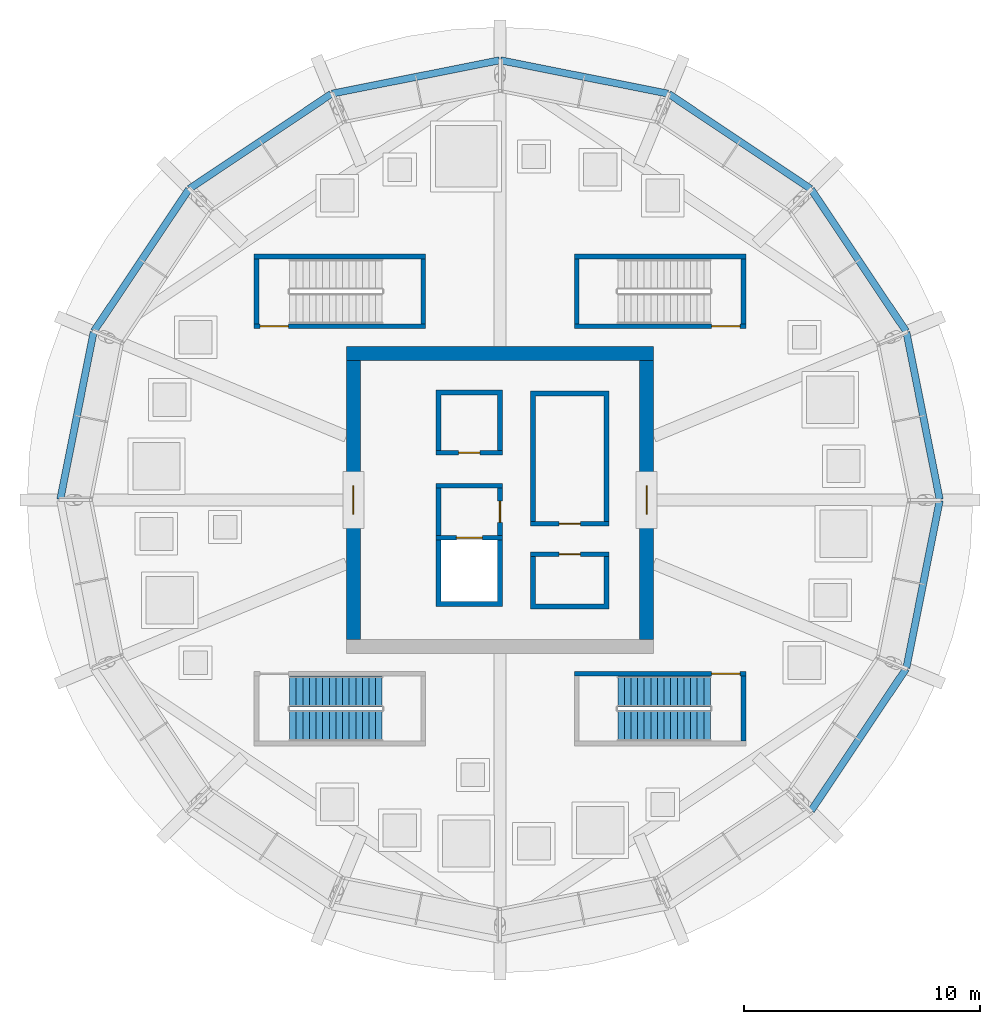
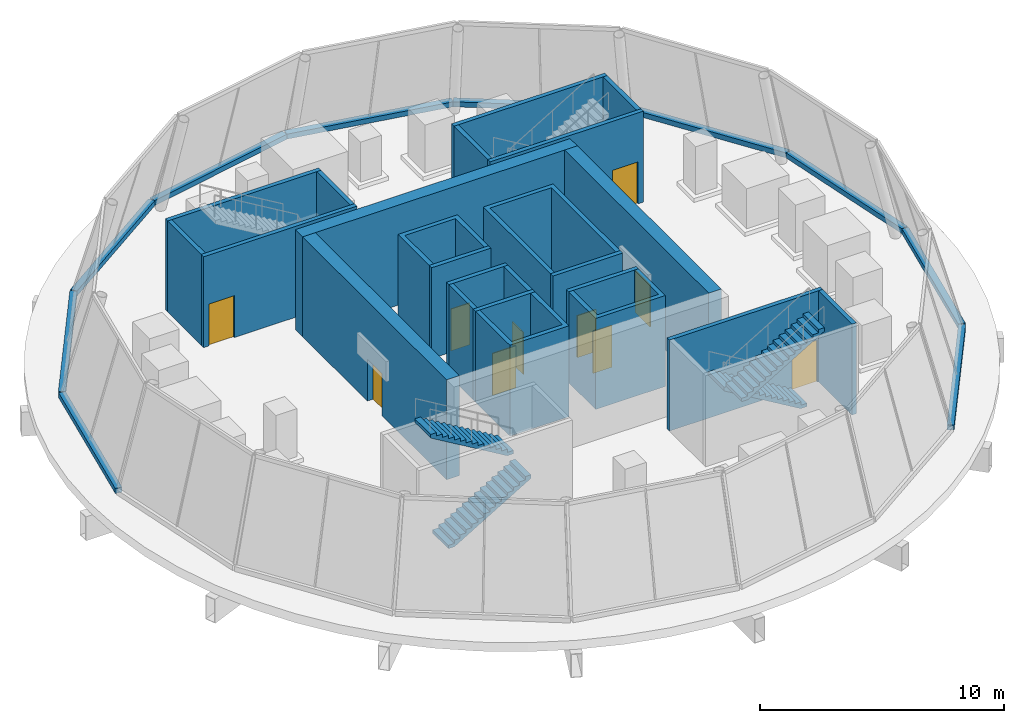
# One storey, part 4 of 7: 34 walls, 10 doors, 4 stair flights, 10 openings, 2 elements without a shape of their own.
"""IFC4 building model written with IfcOpenShell, lengths in metres."""

from ifc_helpers import new_model, si_unit, direction, frame, frame_2d, origin, place, context, subcontext, project, spatial, polyline, rectangle, outline, extrude, material, layer, layer_set, type_object, element, fill, aggregate, save


model = new_model("IFC4")

# Units and contexts
model_context = context("Model", 3, precision=1e-05, world=origin(), true_north=direction((0.0, 1.0)))
body_context = subcontext(model_context, "Body", "Model", "MODEL_VIEW")
ifc_project = project(units=[si_unit("LENGTHUNIT", "METRE"), si_unit("AREAUNIT", "SQUARE_METRE"), si_unit("VOLUMEUNIT", "CUBIC_METRE"), si_unit("PLANEANGLEUNIT", "RADIAN"), si_unit("MASSUNIT", "GRAM", prefix="KILO")], contexts=[model_context])

# Site, building, storey
site_placement = place(None, origin())
site = spatial("IfcSite", under=ifc_project, at=site_placement, CompositionType="ELEMENT")
building_placement = place(site_placement, origin())
building = spatial("IfcBuilding", under=site, at=building_placement, Name="Corvane Civic Tower", CompositionType="ELEMENT")
storey_placement = place(building_placement, frame((0.0, 0.0, 387.5)))
storey = spatial("IfcBuildingStorey", under=building, at=storey_placement, Name="L92", CompositionType="ELEMENT", Elevation=387.5)

# Wall
ifc_material_1 = material(Name="Concrete C40/50", Category="concrete")
ifc_layer_1 = layer(ifc_material_1, 0.60009765625)
ifc_layer_set_1 = layer_set([ifc_layer_1], Name="Concrete C40/50")
wall_type_1 = type_object("IfcWallType", Name="CORE WALL 600 C40/50", PredefinedType="SHEAR", material=ifc_layer_set_1)
wall_1_placement = place(storey_placement, frame((-6.5, 6.199951171875, 0.0), z_axis=(0.0, 0.0, 1.0), x_axis=(1.0, 0.0, 0.0)))
element("IfcWall", 1, at=wall_1_placement, inside=storey, type_object=wall_type_1, Name="W-L92-core-N", PredefinedType="SHEAR", context=body_context, shape_type="SweptSolid", body=[
    extrude(rectangle(XDim=13.0, YDim=0.60009765625, at=frame_2d((6.5, 0.0))), origin(), (0.0, 0.0, 1.0), 5.0),
])

# Wall, opening, door
wall_2_placement = place(storey_placement, frame((6.199951171875, -5.89990234375, 0.0), z_axis=(0.0, 0.0, 1.0), x_axis=(0.0, 1.0, 0.0)))
wall_2 = element("IfcWall", 2, at=wall_2_placement, inside=storey, type_object=wall_type_1, Name="W-L92-core-E", PredefinedType="SHEAR", context=body_context, shape_type="SweptSolid", body=[
    extrude(rectangle(XDim=11.7998046875, YDim=0.60009765625, at=frame_2d((5.89990234375, 0.0))), origin(), (0.0, 0.0, 1.0), 5.0),
])
opening_1_placement = place(wall_2_placement, frame((5.300048828125, 0.0, 0.0)))
opening_1 = element("IfcOpeningElement", 3, at=opening_1_placement, cuts=wall_2, Name="Opening L92.C10", PredefinedType="OPENING", context=body_context, shape_type="SweptSolid", body=[
    extrude(rectangle(XDim=1.199951171875, YDim=2.10009765625, at=frame_2d((0.60009765625, 1.050048828125))), frame((0.0, 0.31005859375, 0.0), z_axis=(0.0, -1.0, 0.0), x_axis=(1.0, 0.0, 0.0)), (0.0, 0.0, 1.0), 0.6201171875),
])
ifc_material_2 = material(Name="Steel fire door leaf", Category="steel")
door_type_1 = type_object("IfcDoorType", Name="CR-DOOR-CORE-1800", OperationType="DOUBLE_DOOR_SINGLE_SWING", PredefinedType="DOOR", material=ifc_material_2)
door_1_placement = place(opening_1_placement, origin())
door_1 = element("IfcDoor", 4, at=door_1_placement, inside=storey, type_object=door_type_1, Name="L92 door", OperationType="DOUBLE_DOOR_SINGLE_SWING", OverallHeight=2.10009765625, OverallWidth=1.199951171875, PredefinedType="DOOR", context=body_context, shape_type="SweptSolid", body=[
    extrude(rectangle(XDim=1.199951171875, YDim=2.10009765625, at=frame_2d((0.60009765625, 1.050048828125))), frame((0.0, 0.02490234375, 0.0), z_axis=(0.0, -1.0, 0.0), x_axis=(1.0, 0.0, 0.0)), (0.0, 0.0, 1.0), 0.050048828125),
])
fill(opening_1, door_1)

wall_3_placement = place(storey_placement, frame((-6.199951171875, -5.89990234375, 0.0), z_axis=(0.0, 0.0, 1.0), x_axis=(0.0, 1.0, 0.0)))
wall_3 = element("IfcWall", 5, at=wall_3_placement, inside=storey, type_object=wall_type_1, Name="W-L92-core-W", PredefinedType="SHEAR", context=body_context, shape_type="SweptSolid", body=[
    extrude(rectangle(XDim=11.7998046875, YDim=0.60009765625, at=frame_2d((5.89990234375, 0.0))), origin(), (0.0, 0.0, 1.0), 5.0),
])
opening_2_placement = place(wall_3_placement, frame((5.300048828125, 0.0, 0.0)))
opening_2 = element("IfcOpeningElement", 6, at=opening_2_placement, cuts=wall_3, Name="Opening L92.C09", PredefinedType="OPENING", context=body_context, shape_type="SweptSolid", body=[
    extrude(rectangle(XDim=1.199951171875, YDim=2.10009765625, at=frame_2d((0.60009765625, 1.050048828125))), frame((0.0, 0.31005859375, 0.0), z_axis=(0.0, -1.0, 0.0), x_axis=(1.0, 0.0, 0.0)), (0.0, 0.0, 1.0), 0.6201171875),
])
door_2_placement = place(opening_2_placement, origin())
door_2 = element("IfcDoor", 7, at=door_2_placement, inside=storey, type_object=door_type_1, Name="L92 door", OperationType="DOUBLE_DOOR_SINGLE_SWING", OverallHeight=2.10009765625, OverallWidth=1.199951171875, PredefinedType="DOOR", context=body_context, shape_type="SweptSolid", body=[
    extrude(rectangle(XDim=1.199951171875, YDim=2.10009765625, at=frame_2d((0.60009765625, 1.050048828125))), frame((0.0, 0.02490234375, 0.0), z_axis=(0.0, -1.0, 0.0), x_axis=(1.0, 0.0, 0.0)), (0.0, 0.0, 1.0), 0.050048828125),
])
fill(opening_2, door_2)

ifc_material_3 = material(Name="Concrete C30/37", Category="concrete")
ifc_layer_2 = layer(ifc_material_3, 0.199951171875)
ifc_layer_set_2 = layer_set([ifc_layer_2], Name="Concrete C30/37")
wall_type_2 = type_object("IfcWallType", Name="CR-WALL-200", PredefinedType="PARTITIONING", material=ifc_layer_set_2)
wall_4_placement = place(storey_placement, frame((1.300048828125, -2.300048828125, 0.0), z_axis=(0.0, 0.0, 1.0), x_axis=(1.0, 0.0, 0.0)))
wall_4 = element("IfcWall", 8, at=wall_4_placement, inside=storey, type_object=wall_type_2, Name="L92 core partition wall", PredefinedType="PARTITIONING", context=body_context, shape_type="SweptSolid", body=[
    extrude(rectangle(XDim=3.300048828125, YDim=0.199951171875, at=frame_2d((1.64990234375, 0.0))), origin(), (0.0, 0.0, 1.0), 4.550048828125),
])
opening_3_placement = place(wall_4_placement, frame((1.199951171875, 0.0, 0.0)))
opening_3 = element("IfcOpeningElement", 9, at=opening_3_placement, cuts=wall_4, Name="Opening L92.C04", PredefinedType="OPENING", context=body_context, shape_type="SweptSolid", body=[
    extrude(rectangle(XDim=0.89990234375, YDim=2.10009765625, at=frame_2d((0.449951171875, 1.050048828125))), frame((0.0, 0.10986328125, 0.0), z_axis=(0.0, -1.0, 0.0), x_axis=(1.0, 0.0, 0.0)), (0.0, 0.0, 1.0), 0.219970703125),
])
ifc_material_4 = material(Name="Steel fire door leaf", Category="steel")
door_type_2 = type_object("IfcDoorType", Name="CR-DOOR-900", OperationType="SINGLE_SWING_LEFT", PredefinedType="DOOR", material=ifc_material_4)
door_3_placement = place(opening_3_placement, origin())
door_3 = element("IfcDoor", 10, at=door_3_placement, inside=storey, type_object=door_type_2, Name="L92 door", OperationType="SINGLE_SWING_LEFT", OverallHeight=2.10009765625, OverallWidth=0.89990234375, PredefinedType="DOOR", context=body_context, shape_type="SweptSolid", body=[
    extrude(rectangle(XDim=0.89990234375, YDim=2.10009765625, at=frame_2d((0.449951171875, 1.050048828125))), frame((0.0, 0.02490234375, 0.0), z_axis=(0.0, -1.0, 0.0), x_axis=(1.0, 0.0, 0.0)), (0.0, 0.0, 1.0), 0.050048828125),
])
fill(opening_3, door_3)

wall_5_placement = place(storey_placement, frame((-2.699951171875, -1.60009765625, 0.0), z_axis=(0.0, 0.0, 1.0), x_axis=(1.0, 0.0, 0.0)))
wall_5 = element("IfcWall", 11, at=wall_5_placement, inside=storey, type_object=wall_type_2, Name="L92 lift shaft wall", PredefinedType="PARTITIONING", context=body_context, shape_type="SweptSolid", body=[
    extrude(rectangle(XDim=2.800048828125, YDim=0.199951171875, at=frame_2d((1.39990234375, 0.0))), origin(), (0.0, 0.0, 1.0), 4.550048828125),
])
opening_4_placement = place(wall_5_placement, frame((0.85009765625, 0.0, 0.0)))
opening_4 = element("IfcOpeningElement", 12, at=opening_4_placement, cuts=wall_5, Name="Opening LD", PredefinedType="OPENING", context=body_context, shape_type="SweptSolid", body=[
    extrude(rectangle(XDim=1.10009765625, YDim=2.10009765625, at=frame_2d((0.550048828125, 1.050048828125))), frame((0.0, 0.10986328125, 0.0), z_axis=(0.0, -1.0, 0.0), x_axis=(1.0, 0.0, 0.0)), (0.0, 0.0, 1.0), 0.219970703125),
])
ifc_material_5 = material(Name="Stainless steel 316 door leaves", Category="steel")
door_type_3 = type_object("IfcDoorType", Name="LD", OperationType="DOUBLE_DOOR_SLIDING", PredefinedType="DOOR", material=ifc_material_5)
door_4_placement = place(opening_4_placement, origin())
door_4 = element("IfcDoor", 13, at=door_4_placement, inside=storey, type_object=door_type_3, Name="L92 landing door", OperationType="DOUBLE_DOOR_SLIDING", OverallHeight=2.10009765625, OverallWidth=1.10009765625, PredefinedType="DOOR", context=body_context, shape_type="SweptSolid", body=[
    extrude(rectangle(XDim=1.10009765625, YDim=2.10009765625, at=frame_2d((0.550048828125, 1.050048828125))), frame((0.0, 0.02490234375, 0.0), z_axis=(0.0, -1.0, 0.0), x_axis=(1.0, 0.0, 0.0)), (0.0, 0.0, 1.0), 0.050048828125),
])
fill(opening_4, door_4)

wall_6_placement = place(storey_placement, frame((1.300048828125, -1.0, 0.0), z_axis=(0.0, 0.0, 1.0), x_axis=(1.0, 0.0, 0.0)))
wall_6 = element("IfcWall", 14, at=wall_6_placement, inside=storey, type_object=wall_type_2, Name="L92 core partition wall", PredefinedType="PARTITIONING", context=body_context, shape_type="SweptSolid", body=[
    extrude(rectangle(XDim=3.300048828125, YDim=0.199951171875, at=frame_2d((1.64990234375, 0.0))), origin(), (0.0, 0.0, 1.0), 4.550048828125),
])
opening_5_placement = place(wall_6_placement, frame((1.199951171875, 0.0, 0.0)))
opening_5 = element("IfcOpeningElement", 15, at=opening_5_placement, cuts=wall_6, Name="Opening L92.C02", PredefinedType="OPENING", context=body_context, shape_type="SweptSolid", body=[
    extrude(rectangle(XDim=0.89990234375, YDim=2.10009765625, at=frame_2d((0.449951171875, 1.050048828125))), frame((0.0, 0.10986328125, 0.0), z_axis=(0.0, -1.0, 0.0), x_axis=(1.0, 0.0, 0.0)), (0.0, 0.0, 1.0), 0.219970703125),
])
door_5_placement = place(opening_5_placement, origin())
door_5 = element("IfcDoor", 16, at=door_5_placement, inside=storey, type_object=door_type_2, Name="L92 door", OperationType="SINGLE_SWING_LEFT", OverallHeight=2.10009765625, OverallWidth=0.89990234375, PredefinedType="DOOR", context=body_context, shape_type="SweptSolid", body=[
    extrude(rectangle(XDim=0.89990234375, YDim=2.10009765625, at=frame_2d((0.449951171875, 1.050048828125))), frame((0.0, 0.02490234375, 0.0), z_axis=(0.0, -1.0, 0.0), x_axis=(1.0, 0.0, 0.0)), (0.0, 0.0, 1.0), 0.050048828125),
])
fill(opening_5, door_5)

wall_7_placement = place(storey_placement, frame((-2.699951171875, 2.0, 0.0), z_axis=(0.0, 0.0, 1.0), x_axis=(1.0, 0.0, 0.0)))
wall_7 = element("IfcWall", 17, at=wall_7_placement, inside=storey, type_object=wall_type_2, Name="L92 core partition wall", PredefinedType="PARTITIONING", context=body_context, shape_type="SweptSolid", body=[
    extrude(rectangle(XDim=2.800048828125, YDim=0.199951171875, at=frame_2d((1.39990234375, 0.0))), origin(), (0.0, 0.0, 1.0), 4.550048828125),
])
opening_6_placement = place(wall_7_placement, frame((0.949951171875, 0.0, 0.0)))
opening_6 = element("IfcOpeningElement", 18, at=opening_6_placement, cuts=wall_7, Name="Opening L92.C03", PredefinedType="OPENING", context=body_context, shape_type="SweptSolid", body=[
    extrude(rectangle(XDim=0.89990234375, YDim=2.10009765625, at=frame_2d((0.449951171875, 1.050048828125))), frame((0.0, 0.10986328125, 0.0), z_axis=(0.0, -1.0, 0.0), x_axis=(1.0, 0.0, 0.0)), (0.0, 0.0, 1.0), 0.219970703125),
])
door_6_placement = place(opening_6_placement, origin())
door_6 = element("IfcDoor", 19, at=door_6_placement, inside=storey, type_object=door_type_2, Name="L92 door", OperationType="SINGLE_SWING_LEFT", OverallHeight=2.10009765625, OverallWidth=0.89990234375, PredefinedType="DOOR", context=body_context, shape_type="SweptSolid", body=[
    extrude(rectangle(XDim=0.89990234375, YDim=2.10009765625, at=frame_2d((0.449951171875, 1.050048828125))), frame((0.0, 0.02490234375, 0.0), z_axis=(0.0, -1.0, 0.0), x_axis=(1.0, 0.0, 0.0)), (0.0, 0.0, 1.0), 0.050048828125),
])
fill(opening_6, door_6)

wall_8_placement = place(storey_placement, frame((0.0, -1.5, 0.0), z_axis=(0.0, 0.0, 1.0), x_axis=(0.0, 1.0, 0.0)))
wall_8 = element("IfcWall", 20, at=wall_8_placement, inside=storey, type_object=wall_type_2, Name="L92 core partition wall", PredefinedType="PARTITIONING", context=body_context, shape_type="SweptSolid", body=[
    extrude(rectangle(XDim=2.0, YDim=0.199951171875, at=frame_2d((1.0, 0.0))), origin(), (0.0, 0.0, 1.0), 4.550048828125),
])
opening_7_placement = place(wall_8_placement, frame((0.550048828125, 0.0, 0.0)))
opening_7 = element("IfcOpeningElement", 21, at=opening_7_placement, cuts=wall_8, Name="Opening L92.C01", PredefinedType="OPENING", context=body_context, shape_type="SweptSolid", body=[
    extrude(rectangle(XDim=0.89990234375, YDim=2.10009765625, at=frame_2d((0.449951171875, 1.050048828125))), frame((0.0, 0.10986328125, 0.0), z_axis=(0.0, -1.0, 0.0), x_axis=(1.0, 0.0, 0.0)), (0.0, 0.0, 1.0), 0.219970703125),
])
door_7_placement = place(opening_7_placement, origin())
door_7 = element("IfcDoor", 22, at=door_7_placement, inside=storey, type_object=door_type_2, Name="L92 door", OperationType="SINGLE_SWING_LEFT", OverallHeight=2.10009765625, OverallWidth=0.89990234375, PredefinedType="DOOR", context=body_context, shape_type="SweptSolid", body=[
    extrude(rectangle(XDim=0.89990234375, YDim=2.10009765625, at=frame_2d((0.449951171875, 1.050048828125))), frame((0.0, 0.02490234375, 0.0), z_axis=(0.0, -1.0, 0.0), x_axis=(1.0, 0.0, 0.0)), (0.0, 0.0, 1.0), 0.050048828125),
])
fill(opening_7, door_7)

# Walls
wall_9_placement = place(storey_placement, origin())
element("IfcWall", 23, at=wall_9_placement, inside=storey, type_object=wall_type_2, Name="L92 core partition wall", PredefinedType="PARTITIONING", context=body_context, shape_type="SweptSolid", body=[
    extrude(outline(polyline([(0.10009765625, 0.699951171875), (0.10009765625, 0.5), (-2.699951171875, 0.5), (-2.699951171875, 0.699951171875), (0.10009765625, 0.699951171875)])), origin(), (0.0, 0.0, 1.0), 4.550048828125),
])
wall_10_placement = place(storey_placement, origin())
element("IfcWall", 24, at=wall_10_placement, inside=storey, type_object=wall_type_2, Name="L92 core partition wall", PredefinedType="PARTITIONING", context=body_context, shape_type="SweptSolid", body=[
    extrude(outline(polyline([(-2.5, -1.5), (-2.699951171875, -1.5), (-2.699951171875, 0.5), (-2.5, 0.5), (-2.5, -1.5)])), origin(), (0.0, 0.0, 1.0), 4.550048828125),
])
wall_11_placement = place(storey_placement, origin())
element("IfcWall", 25, at=wall_11_placement, inside=storey, type_object=wall_type_2, Name="L92 core partition wall", PredefinedType="PARTITIONING", context=body_context, shape_type="SweptSolid", body=[
    extrude(outline(polyline([(-2.699951171875, -1.699951171875), (-2.5, -1.699951171875), (-2.5, -4.300048828125), (-0.10009765625, -4.300048828125), (-0.10009765625, -1.699951171875), (0.10009765625, -1.699951171875), (0.10009765625, -4.5), (-2.699951171875, -4.5), (-2.699951171875, -1.699951171875)])), origin(), (0.0, 0.0, 1.0), 4.550048828125),
])
wall_12_placement = place(storey_placement, origin())
element("IfcWall", 26, at=wall_12_placement, inside=storey, type_object=wall_type_2, Name="L92 core partition wall", PredefinedType="PARTITIONING", context=body_context, shape_type="SweptSolid", body=[
    extrude(outline(polyline([(-2.699951171875, 4.64990234375), (0.10009765625, 4.64990234375), (0.10009765625, 2.10009765625), (-0.10009765625, 2.10009765625), (-0.10009765625, 4.449951171875), (-2.5, 4.449951171875), (-2.5, 2.10009765625), (-2.699951171875, 2.10009765625), (-2.699951171875, 4.64990234375)])), origin(), (0.0, 0.0, 1.0), 4.550048828125),
])
wall_13_placement = place(storey_placement, origin())
element("IfcWall", 27, at=wall_13_placement, inside=storey, type_object=wall_type_2, Name="L92 core partition wall", PredefinedType="PARTITIONING", context=body_context, shape_type="SweptSolid", body=[
    extrude(outline(polyline([(1.300048828125, -4.60009765625), (1.300048828125, -2.39990234375), (1.5, -2.39990234375), (1.5, -4.39990234375), (4.39990234375, -4.39990234375), (4.39990234375, -2.39990234375), (4.60009765625, -2.39990234375), (4.60009765625, -4.60009765625), (1.300048828125, -4.60009765625)])), origin(), (0.0, 0.0, 1.0), 4.550048828125),
])
wall_14_placement = place(storey_placement, origin())
element("IfcWall", 28, at=wall_14_placement, inside=storey, type_object=wall_type_2, Name="L92 core partition wall", PredefinedType="PARTITIONING", context=body_context, shape_type="SweptSolid", body=[
    extrude(outline(polyline([(1.300048828125, -0.89990234375), (1.300048828125, 4.60009765625), (4.60009765625, 4.60009765625), (4.60009765625, -0.89990234375), (4.39990234375, -0.89990234375), (4.39990234375, 4.39990234375), (1.5, 4.39990234375), (1.5, -0.89990234375), (1.300048828125, -0.89990234375)])), origin(), (0.0, 0.0, 1.0), 4.550048828125),
])
ifc_material_6 = material(Name="Concrete C40/50", Category="concrete")
ifc_layer_3 = layer(ifc_material_6, 0.300048828125)
ifc_layer_set_3 = layer_set([ifc_layer_3], Name="Concrete C40/50")
wall_type_3 = type_object("IfcWallType", Name="CROWN-W-CONEKERB-300", PredefinedType="SOLIDWALL", material=ifc_layer_set_3)
for number, where, z_axis, x_axis, name in (
    (29, (-0.01953125, 18.59619140625, 0.0), (0.0, 0.0, 1.0), (-0.980781811689, -0.195107759608, 0.0), "Glass cone kerb 1"),
    (30, (-7.134521484375, 17.173095703125, 0.0), (0.0, 0.0, 1.0), (-0.831451344126, -0.555597572305, 0.0), "Glass cone kerb 2"),
    (31, (-13.1630859375, 13.135498046875, 0.0), (0.0, 0.0, 1.0), (-0.555597572305, -0.831451344126, 0.0), "Glass cone kerb 3"),
    (32, (-17.18798828125, 7.098388671875, 0.0), (0.0, 0.0, 1.0), (-0.195107759608, -0.980781811689, 0.0), "Glass cone kerb 4"),
    (33, (13.1630859375, -13.135498046875, 0.0), (0.0, 0.0, 1.0), (0.555597572305, 0.831451344126, 0.0), "Glass cone kerb 11"),
    (34, (17.18798828125, -7.098388671875, 0.0), (0.0, 0.0, 1.0), (0.195107759608, 0.980781811689, 0.0), "Glass cone kerb 12"),
    (35, (18.59619140625, 0.01953125, 0.0), (0.0, 0.0, 1.0), (-0.195107759608, 0.980781811689, 0.0), "Glass cone kerb 13"),
    (36, (17.173095703125, 7.134521484375, 0.0), (0.0, 0.0, 1.0), (-0.555597572305, 0.831451344126, 0.0), "Glass cone kerb 14"),
    (37, (13.135498046875, 13.1630859375, 0.0), (0.0, 0.0, 1.0), (-0.831451344126, 0.555597572305, 0.0), "Glass cone kerb 15"),
    (38, (7.098388671875, 17.18798828125, 0.0), (0.0, 0.0, 1.0), (-0.980781811689, 0.195107759608, 0.0), "Glass cone kerb 16"),
):
    element("IfcWall", number, at=place(storey_placement, frame(where, z_axis=z_axis, x_axis=x_axis)), inside=storey, type_object=wall_type_3, Name=name, PredefinedType="SOLIDWALL", context=body_context, shape_type="SweptSolid", body=[
        extrude(rectangle(XDim=7.217529296875, YDim=0.300048828125, at=frame_2d((3.60888671875, 0.0))), origin(), (0.0, 0.0, 1.0), 0.25),
    ])

# Wall, opening, door
ifc_material_7 = material(Name="Concrete C50/60", Category="concrete")
ifc_layer_4 = layer(ifc_material_7, 0.199951171875)
ifc_layer_set_4 = layer_set([ifc_layer_4], Name="Concrete C50/60")
wall_type_4 = type_object("IfcWallType", Name="ST-WALL-200", PredefinedType="SHEAR", material=ifc_layer_set_4)
wall_15_placement = place(storey_placement, frame((3.14990234375, -7.35009765625, 0.0), z_axis=(0.0, 0.0, 1.0), x_axis=(1.0, 0.0, 0.0)))
wall_15 = element("IfcWall", 39, at=wall_15_placement, inside=storey, type_object=wall_type_4, Name="L92 stair enclosure wall", PredefinedType="SHEAR", context=body_context, shape_type="SweptSolid", body=[
    extrude(rectangle(XDim=7.25, YDim=0.199951171875, at=frame_2d((3.625, 0.0))), origin(), (0.0, 0.0, 1.0), 4.550048828125),
])
opening_8_placement = place(wall_15_placement, frame((5.800048828125, 0.0, 0.0)))
opening_8 = element("IfcOpeningElement", 40, at=opening_8_placement, cuts=wall_15, Name="Opening L92.C07", PredefinedType="OPENING", context=body_context, shape_type="SweptSolid", body=[
    extrude(rectangle(XDim=1.199951171875, YDim=2.10009765625, at=frame_2d((0.60009765625, 1.050048828125))), frame((0.0, 0.10986328125, 0.0), z_axis=(0.0, -1.0, 0.0), x_axis=(1.0, 0.0, 0.0)), (0.0, 0.0, 1.0), 0.219970703125),
])
ifc_material_8 = material(Name="Steel fire door leaf", Category="steel")
door_type_4 = type_object("IfcDoorType", Name="ST-DOOR-1200", OperationType="SINGLE_SWING_RIGHT", PredefinedType="DOOR", material=ifc_material_8)
door_8_placement = place(opening_8_placement, origin())
door_8 = element("IfcDoor", 41, at=door_8_placement, inside=storey, type_object=door_type_4, Name="L92 stair door", OperationType="SINGLE_SWING_RIGHT", OverallHeight=2.10009765625, OverallWidth=1.199951171875, PredefinedType="DOOR", context=body_context, shape_type="SweptSolid", body=[
    extrude(rectangle(XDim=1.199951171875, YDim=2.10009765625, at=frame_2d((0.60009765625, 1.050048828125))), frame((0.0, 0.02490234375, 0.0), z_axis=(0.0, -1.0, 0.0), x_axis=(1.0, 0.0, 0.0)), (0.0, 0.0, 1.0), 0.050048828125),
])
fill(opening_8, door_8)

wall_16_placement = place(storey_placement, frame((-10.39990234375, 7.35009765625, 0.0), z_axis=(0.0, 0.0, 1.0), x_axis=(1.0, 0.0, 0.0)))
wall_16 = element("IfcWall", 42, at=wall_16_placement, inside=storey, type_object=wall_type_4, Name="L92 stair enclosure wall", PredefinedType="SHEAR", context=body_context, shape_type="SweptSolid", body=[
    extrude(rectangle(XDim=7.25, YDim=0.199951171875, at=frame_2d((3.625, 0.0))), origin(), (0.0, 0.0, 1.0), 4.550048828125),
])
opening_9_placement = place(wall_16_placement, frame((0.25, 0.0, 0.0)))
opening_9 = element("IfcOpeningElement", 43, at=opening_9_placement, cuts=wall_16, Name="Opening L92.C06", PredefinedType="OPENING", context=body_context, shape_type="SweptSolid", body=[
    extrude(rectangle(XDim=1.199951171875, YDim=2.10009765625, at=frame_2d((0.60009765625, 1.050048828125))), frame((0.0, 0.10986328125, 0.0), z_axis=(0.0, -1.0, 0.0), x_axis=(1.0, 0.0, 0.0)), (0.0, 0.0, 1.0), 0.219970703125),
])
door_9_placement = place(opening_9_placement, origin())
door_9 = element("IfcDoor", 44, at=door_9_placement, inside=storey, type_object=door_type_4, Name="L92 stair door", OperationType="SINGLE_SWING_RIGHT", OverallHeight=2.10009765625, OverallWidth=1.199951171875, PredefinedType="DOOR", context=body_context, shape_type="SweptSolid", body=[
    extrude(rectangle(XDim=1.199951171875, YDim=2.10009765625, at=frame_2d((0.60009765625, 1.050048828125))), frame((0.0, 0.02490234375, 0.0), z_axis=(0.0, -1.0, 0.0), x_axis=(1.0, 0.0, 0.0)), (0.0, 0.0, 1.0), 0.050048828125),
])
fill(opening_9, door_9)

wall_17_placement = place(storey_placement, frame((3.14990234375, 7.35009765625, 0.0), z_axis=(0.0, 0.0, 1.0), x_axis=(1.0, 0.0, 0.0)))
wall_17 = element("IfcWall", 45, at=wall_17_placement, inside=storey, type_object=wall_type_4, Name="L92 stair enclosure wall", PredefinedType="SHEAR", context=body_context, shape_type="SweptSolid", body=[
    extrude(rectangle(XDim=7.25, YDim=0.199951171875, at=frame_2d((3.625, 0.0))), origin(), (0.0, 0.0, 1.0), 4.550048828125),
])
opening_10_placement = place(wall_17_placement, frame((5.800048828125, 0.0, 0.0)))
opening_10 = element("IfcOpeningElement", 46, at=opening_10_placement, cuts=wall_17, Name="Opening L92.C05", PredefinedType="OPENING", context=body_context, shape_type="SweptSolid", body=[
    extrude(rectangle(XDim=1.199951171875, YDim=2.10009765625, at=frame_2d((0.60009765625, 1.050048828125))), frame((0.0, 0.10986328125, 0.0), z_axis=(0.0, -1.0, 0.0), x_axis=(1.0, 0.0, 0.0)), (0.0, 0.0, 1.0), 0.219970703125),
])
door_10_placement = place(opening_10_placement, origin())
door_10 = element("IfcDoor", 47, at=door_10_placement, inside=storey, type_object=door_type_4, Name="L92 stair door", OperationType="SINGLE_SWING_RIGHT", OverallHeight=2.10009765625, OverallWidth=1.199951171875, PredefinedType="DOOR", context=body_context, shape_type="SweptSolid", body=[
    extrude(rectangle(XDim=1.199951171875, YDim=2.10009765625, at=frame_2d((0.60009765625, 1.050048828125))), frame((0.0, 0.02490234375, 0.0), z_axis=(0.0, -1.0, 0.0), x_axis=(1.0, 0.0, 0.0)), (0.0, 0.0, 1.0), 0.050048828125),
])
fill(opening_10, door_10)

# Walls
wall_18_placement = place(storey_placement, origin())
element("IfcWall", 48, at=wall_18_placement, inside=storey, type_object=wall_type_4, Name="L92 stair enclosure wall", PredefinedType="SHEAR", context=body_context, shape_type="SweptSolid", body=[
    extrude(outline(polyline([(-3.14990234375, 10.199951171875), (-10.39990234375, 10.199951171875), (-10.39990234375, 10.39990234375), (-3.14990234375, 10.39990234375), (-3.14990234375, 10.199951171875)])), origin(), (0.0, 0.0, 1.0), 4.550048828125),
])
wall_19_placement = place(storey_placement, origin())
element("IfcWall", 49, at=wall_19_placement, inside=storey, type_object=wall_type_4, Name="L92 stair enclosure wall", PredefinedType="SHEAR", context=body_context, shape_type="SweptSolid", body=[
    extrude(outline(polyline([(10.39990234375, 10.199951171875), (3.14990234375, 10.199951171875), (3.14990234375, 10.39990234375), (10.39990234375, 10.39990234375), (10.39990234375, 10.199951171875)])), origin(), (0.0, 0.0, 1.0), 4.550048828125),
])
wall_20_placement = place(storey_placement, origin())
element("IfcWall", 50, at=wall_20_placement, inside=storey, type_object=wall_type_4, Name="L92 stair enclosure wall", PredefinedType="SHEAR", context=body_context, shape_type="SweptSolid", body=[
    extrude(outline(polyline([(-3.14990234375, 7.449951171875), (-3.35009765625, 7.449951171875), (-3.35009765625, 10.199951171875), (-3.14990234375, 10.199951171875), (-3.14990234375, 7.449951171875)])), origin(), (0.0, 0.0, 1.0), 4.550048828125),
])
wall_21_placement = place(storey_placement, origin())
element("IfcWall", 51, at=wall_21_placement, inside=storey, type_object=wall_type_4, Name="L92 stair enclosure wall", PredefinedType="SHEAR", context=body_context, shape_type="SweptSolid", body=[
    extrude(outline(polyline([(3.35009765625, 7.449951171875), (3.14990234375, 7.449951171875), (3.14990234375, 10.199951171875), (3.35009765625, 10.199951171875), (3.35009765625, 7.449951171875)])), origin(), (0.0, 0.0, 1.0), 4.550048828125),
])
wall_22_placement = place(storey_placement, origin())
element("IfcWall", 52, at=wall_22_placement, inside=storey, type_object=wall_type_4, Name="L92 stair enclosure wall", PredefinedType="SHEAR", context=body_context, shape_type="SweptSolid", body=[
    extrude(outline(polyline([(-10.199951171875, 7.449951171875), (-10.39990234375, 7.449951171875), (-10.39990234375, 10.199951171875), (-10.199951171875, 10.199951171875), (-10.199951171875, 7.449951171875)])), origin(), (0.0, 0.0, 1.0), 4.550048828125),
])
wall_23_placement = place(storey_placement, origin())
element("IfcWall", 53, at=wall_23_placement, inside=storey, type_object=wall_type_4, Name="L92 stair enclosure wall", PredefinedType="SHEAR", context=body_context, shape_type="SweptSolid", body=[
    extrude(outline(polyline([(10.39990234375, -7.449951171875), (10.39990234375, -10.199951171875), (10.199951171875, -10.199951171875), (10.199951171875, -7.449951171875), (10.39990234375, -7.449951171875)])), origin(), (0.0, 0.0, 1.0), 4.550048828125),
])
wall_24_placement = place(storey_placement, origin())
element("IfcWall", 54, at=wall_24_placement, inside=storey, type_object=wall_type_4, Name="L92 stair enclosure wall", PredefinedType="SHEAR", context=body_context, shape_type="SweptSolid", body=[
    extrude(outline(polyline([(10.39990234375, 7.449951171875), (10.199951171875, 7.449951171875), (10.199951171875, 10.199951171875), (10.39990234375, 10.199951171875), (10.39990234375, 7.449951171875)])), origin(), (0.0, 0.0, 1.0), 4.550048828125),
])

# Stair, stair flights
ifc_material_9 = material(Name="Concrete C40/50", Category="concrete")
stair_type = type_object("IfcStairType", Name="ST-STAIR-HALFTURN", PredefinedType="HALF_TURN_STAIR", material=ifc_material_9)
stair_1_placement = place(storey_placement, origin())
stair_1 = element("IfcStair", 55, at=stair_1_placement, inside=storey, type_object=stair_type, Name="L92 Exit stair ST2", PredefinedType="HALF_TURN_STAIR")
ifc_material_10 = material(Name="Concrete C40/50", Category="concrete")
stair_flight_type = type_object("IfcStairFlightType", Name="ST-FLIGHT-RC", PredefinedType="STRAIGHT", material=ifc_material_10)
stair_flight_1_placement = place(storey_placement, frame((8.89990234375, -8.10009765625, 0.0), z_axis=(0.0, 0.0, 1.0), x_axis=(-1.0, 0.0, 0.0)))
stair_flight_1 = element("IfcStairFlight", 56, at=stair_flight_1_placement, type_object=stair_flight_type, Name="ST2 flight 1", NumberOfRisers=15, NumberOfTreads=14, PredefinedType="STRAIGHT", RiserHeight=0.166666667, TreadLength=0.28, context=body_context, shape_type="SweptSolid", body=[
    extrude(outline(polyline([(0.0, 0.0), (0.0, 0.166748046875), (0.280029296875, 0.166748046875), (0.280029296875, 0.333251953125), (0.56005859375, 0.333251953125), (0.56005859375, 0.5), (0.840087890625, 0.5), (0.840087890625, 0.666748046875), (1.1201171875, 0.666748046875), (1.1201171875, 0.833251953125), (1.39990234375, 0.833251953125), (1.39990234375, 1.0), (1.679931640625, 1.0), (1.679931640625, 1.166748046875), (1.9599609375, 1.166748046875), (1.9599609375, 1.333251953125), (2.239990234375, 1.333251953125), (2.239990234375, 1.5), (2.52001953125, 1.5), (2.52001953125, 1.666748046875), (2.800048828125, 1.666748046875), (2.800048828125, 1.833251953125), (3.080078125, 1.833251953125), (3.080078125, 2.0), (3.360107421875, 2.0), (3.360107421875, 2.166748046875), (3.639892578125, 2.166748046875), (3.639892578125, 2.333251953125), (3.919921875, 2.333251953125), (3.919921875, 2.5), (3.919921875, 2.158935546875), (0.29296875, 0.0), (0.0, 0.0)])), frame((0.0, 0.64990234375, 0.0), z_axis=(0.0, -1.0, 0.0), x_axis=(1.0, 0.0, 0.0)), (0.0, 0.0, 1.0), 1.300048828125),
])
stair_flight_2_placement = place(storey_placement, frame((4.97998046875, -9.550048828125, 2.5), z_axis=(0.0, 0.0, 1.0), x_axis=(1.0, 0.0, 0.0)))
stair_flight_2 = element("IfcStairFlight", 57, at=stair_flight_2_placement, type_object=stair_flight_type, Name="ST2 flight 2", NumberOfRisers=15, NumberOfTreads=14, PredefinedType="STRAIGHT", RiserHeight=0.166666667, TreadLength=0.28, context=body_context, shape_type="SweptSolid", body=[
    extrude(outline(polyline([(0.0, 0.0), (0.0, 0.166748046875), (0.280029296875, 0.166748046875), (0.280029296875, 0.333251953125), (0.56005859375, 0.333251953125), (0.56005859375, 0.5), (0.840087890625, 0.5), (0.840087890625, 0.666748046875), (1.1201171875, 0.666748046875), (1.1201171875, 0.833251953125), (1.39990234375, 0.833251953125), (1.39990234375, 1.0), (1.679931640625, 1.0), (1.679931640625, 1.166748046875), (1.9599609375, 1.166748046875), (1.9599609375, 1.333251953125), (2.239990234375, 1.333251953125), (2.239990234375, 1.5), (2.52001953125, 1.5), (2.52001953125, 1.666748046875), (2.800048828125, 1.666748046875), (2.800048828125, 1.833251953125), (3.080078125, 1.833251953125), (3.080078125, 2.0), (3.360107421875, 2.0), (3.360107421875, 2.166748046875), (3.639892578125, 2.166748046875), (3.639892578125, 2.333251953125), (3.919921875, 2.333251953125), (3.919921875, 2.5), (3.919921875, 2.158935546875), (0.29296875, 0.0), (0.0, 0.0)])), frame((0.0, 0.64990234375, 0.0), z_axis=(0.0, -1.0, 0.0), x_axis=(1.0, 0.0, 0.0)), (0.0, 0.0, 1.0), 1.300048828125),
])
aggregate(stair_1, [stair_flight_1, stair_flight_2])

stair_2_placement = place(storey_placement, origin())
stair_2 = element("IfcStair", 58, at=stair_2_placement, inside=storey, type_object=stair_type, Name="L92 Exit stair ST3", PredefinedType="HALF_TURN_STAIR")
stair_flight_3_placement = place(storey_placement, frame((-8.89990234375, -9.550048828125, 0.0), z_axis=(0.0, 0.0, 1.0), x_axis=(1.0, 0.0, 0.0)))
stair_flight_3 = element("IfcStairFlight", 59, at=stair_flight_3_placement, type_object=stair_flight_type, Name="ST3 flight 1", NumberOfRisers=15, NumberOfTreads=14, PredefinedType="STRAIGHT", RiserHeight=0.166666667, TreadLength=0.28, context=body_context, shape_type="SweptSolid", body=[
    extrude(outline(polyline([(0.0, 0.0), (0.0, 0.166748046875), (0.280029296875, 0.166748046875), (0.280029296875, 0.333251953125), (0.56005859375, 0.333251953125), (0.56005859375, 0.5), (0.840087890625, 0.5), (0.840087890625, 0.666748046875), (1.1201171875, 0.666748046875), (1.1201171875, 0.833251953125), (1.39990234375, 0.833251953125), (1.39990234375, 1.0), (1.679931640625, 1.0), (1.679931640625, 1.166748046875), (1.9599609375, 1.166748046875), (1.9599609375, 1.333251953125), (2.239990234375, 1.333251953125), (2.239990234375, 1.5), (2.52001953125, 1.5), (2.52001953125, 1.666748046875), (2.800048828125, 1.666748046875), (2.800048828125, 1.833251953125), (3.080078125, 1.833251953125), (3.080078125, 2.0), (3.360107421875, 2.0), (3.360107421875, 2.166748046875), (3.639892578125, 2.166748046875), (3.639892578125, 2.333251953125), (3.919921875, 2.333251953125), (3.919921875, 2.5), (3.919921875, 2.158935546875), (0.29296875, 0.0), (0.0, 0.0)])), frame((0.0, 0.64990234375, 0.0), z_axis=(0.0, -1.0, 0.0), x_axis=(1.0, 0.0, 0.0)), (0.0, 0.0, 1.0), 1.300048828125),
])
stair_flight_4_placement = place(storey_placement, frame((-4.97998046875, -8.10009765625, 2.5), z_axis=(0.0, 0.0, 1.0), x_axis=(-1.0, 0.0, 0.0)))
stair_flight_4 = element("IfcStairFlight", 60, at=stair_flight_4_placement, type_object=stair_flight_type, Name="ST3 flight 2", NumberOfRisers=15, NumberOfTreads=14, PredefinedType="STRAIGHT", RiserHeight=0.166666667, TreadLength=0.28, context=body_context, shape_type="SweptSolid", body=[
    extrude(outline(polyline([(0.0, 0.0), (0.0, 0.166748046875), (0.280029296875, 0.166748046875), (0.280029296875, 0.333251953125), (0.56005859375, 0.333251953125), (0.56005859375, 0.5), (0.840087890625, 0.5), (0.840087890625, 0.666748046875), (1.1201171875, 0.666748046875), (1.1201171875, 0.833251953125), (1.39990234375, 0.833251953125), (1.39990234375, 1.0), (1.679931640625, 1.0), (1.679931640625, 1.166748046875), (1.9599609375, 1.166748046875), (1.9599609375, 1.333251953125), (2.239990234375, 1.333251953125), (2.239990234375, 1.5), (2.52001953125, 1.5), (2.52001953125, 1.666748046875), (2.800048828125, 1.666748046875), (2.800048828125, 1.833251953125), (3.080078125, 1.833251953125), (3.080078125, 2.0), (3.360107421875, 2.0), (3.360107421875, 2.166748046875), (3.639892578125, 2.166748046875), (3.639892578125, 2.333251953125), (3.919921875, 2.333251953125), (3.919921875, 2.5), (3.919921875, 2.158935546875), (0.29296875, 0.0), (0.0, 0.0)])), frame((0.0, 0.64990234375, 0.0), z_axis=(0.0, -1.0, 0.0), x_axis=(1.0, 0.0, 0.0)), (0.0, 0.0, 1.0), 1.300048828125),
])
aggregate(stair_2, [stair_flight_3, stair_flight_4])

save(model, "model.ifc")
